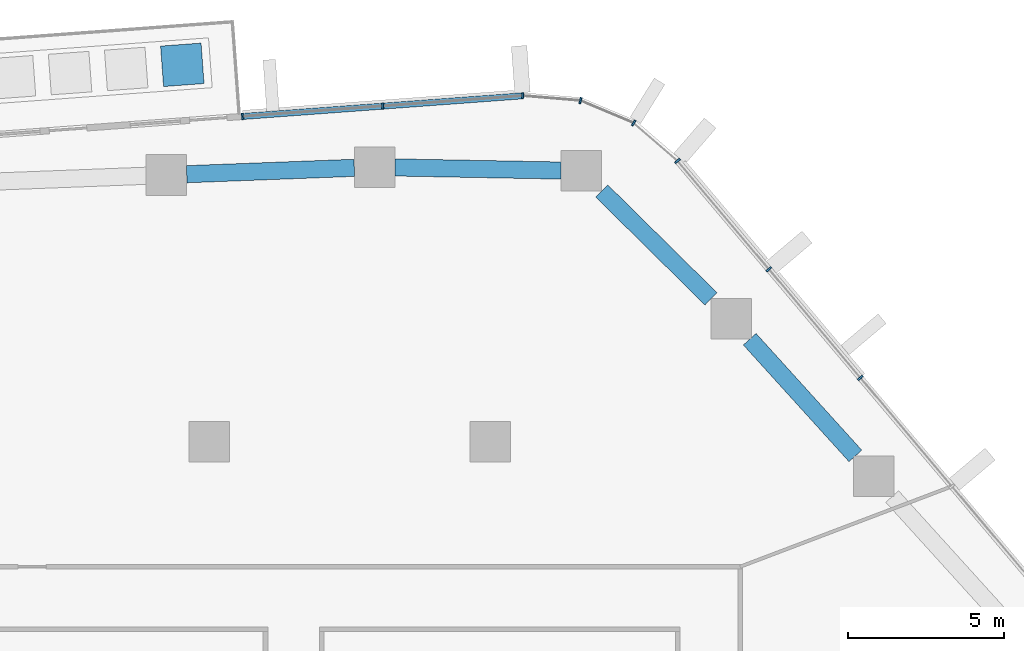
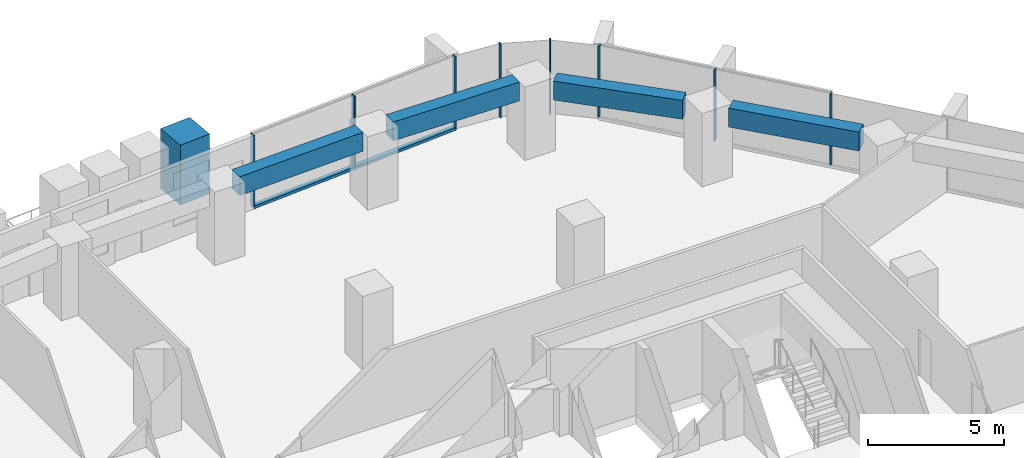
# One storey, part 9 of 23: 10 members, 4 beams, 3 elements without a shape of their own.
"""IFC4 building model written with IfcOpenShell, lengths in metres."""

import ifcopenshell
import ifcopenshell.guid

model = None  # the IFC model being written
_history = None  # IfcOwnerHistory: only IFC2X3 demands one
_inside = {}  # id of a spatial element -> (the spatial element, [elements in it])
_under = {}  # id of a project, library or spatial element -> (it, [spatial elements below it])
_declared = {}  # id of a project -> (the project, [libraries it declares])
_typed = {}  # id of a type object -> (the type object, [elements of that type])
_made_of = {}  # id of a material, layer set ... -> (it, [elements and type objects made of it])


def new_model(schema):
    """Start an empty IFC model of exactly this schema.

    Asked for "IFC4X3", IfcOpenShell would pick the latest addendum, in which some entities
    have other attributes; the version numbers below select the first issue.
    IFC2X3 requires an IfcOwnerHistory on every rooted entity: one is made here for all.
    """
    global model, _history
    if schema == "IFC4X3":
        model = ifcopenshell.file(schema_version=(4, 3, 0, 0))
    else:
        model = ifcopenshell.file(schema=schema)
    _inside.clear()
    _under.clear()
    _declared.clear()
    _typed.clear()
    _made_of.clear()
    _history = None
    if model.schema == "IFC2X3":
        org = make("IfcOrganization", Name="unknown")
        user = make(
            "IfcPersonAndOrganization",
            ThePerson=make("IfcPerson", FamilyName="unknown"),
            TheOrganization=org,
        )
        app = make(
            "IfcApplication",
            ApplicationDeveloper=org,
            Version="unknown",
            ApplicationFullName="unknown",
            ApplicationIdentifier="unknown",
        )
        _history = make(
            "IfcOwnerHistory",
            OwningUser=user,
            OwningApplication=app,
            ChangeAction="ADDED",
            CreationDate=0,
        )
    return model


def make(cls, **values):
    """One entity of the class cls with the attributes given. An attribute that is None is left unset."""
    return model.create_entity(
        cls, **{name: value for name, value in values.items() if value is not None}
    )


def rooted(cls, **values):
    """An entity with a GlobalId (a new one), such as an element, a storey or a relation."""
    return make(cls, GlobalId=ifcopenshell.guid.new(), OwnerHistory=_history, **values)


def si_unit(unit_type, name, prefix=None):
    """IfcSIUnit, for example si_unit("LENGTHUNIT", "METRE", prefix="MILLI")."""
    return make("IfcSIUnit", UnitType=unit_type, Prefix=prefix, Name=name)


def assignment(units):
    """IfcUnitAssignment: the units of a project."""
    return None if units is None else make("IfcUnitAssignment", Units=units)


def point(xyz):
    """IfcCartesianPoint."""
    return None if xyz is None else make("IfcCartesianPoint", Coordinates=xyz)


def direction(xyz):
    """IfcDirection."""
    return None if xyz is None else make("IfcDirection", DirectionRatios=xyz)


def frame(location, z_axis=None, x_axis=None):
    """IfcAxis2Placement3D, a coordinate frame: its origin and axes. An axis left out is left unset."""
    return make(
        "IfcAxis2Placement3D",
        Location=point(location),
        Axis=direction(z_axis),
        RefDirection=direction(x_axis),
    )


def frame_2d(location, x_axis=None):
    """IfcAxis2Placement2D, a coordinate frame in the plane: its origin and x axis."""
    return make(
        "IfcAxis2Placement2D", Location=point(location), RefDirection=direction(x_axis)
    )


def origin():
    """The frame at (0, 0, 0) with its axes left unset."""
    return frame((0.0, 0.0, 0.0))


def origin_2d():
    """The frame at (0, 0) in the plane with its x axis left unset."""
    return frame_2d((0.0, 0.0))


def place(relative_to, where):
    """IfcLocalPlacement: puts the frame where relative to a parent placement (None: the world)."""
    return make(
        "IfcLocalPlacement", PlacementRelTo=relative_to, RelativePlacement=where
    )


def context(
    kind, dimensions, precision=None, world=None, true_north=None, identifier=None
):
    """IfcGeometricRepresentationContext, for example the 3D "Model" context."""
    return make(
        "IfcGeometricRepresentationContext",
        ContextIdentifier=identifier,
        ContextType=kind,
        CoordinateSpaceDimension=dimensions,
        Precision=precision,
        WorldCoordinateSystem=world,
        TrueNorth=true_north,
    )


def subcontext(parent, identifier, kind, view, scale=None):
    """IfcGeometricRepresentationSubContext, for example "Body" below "Model"."""
    return make(
        "IfcGeometricRepresentationSubContext",
        ContextIdentifier=identifier,
        ContextType=kind,
        ParentContext=parent,
        TargetScale=scale,
        TargetView=view,
    )


def project(units=None, contexts=None):
    """IfcProject with its units and contexts."""
    return rooted(
        "IfcProject",
        Name="project",
        RepresentationContexts=contexts,
        UnitsInContext=assignment(units),
    )


def spatial(cls, under=None, at=None, **own):
    """A site, building, storey or space (cls), placed at a placement, below another one or the project."""
    s = rooted(cls, ObjectPlacement=at, **own)
    if under is not None:
        _under.setdefault(under.id(), (under, []))[1].append(s)
    return s


def profile(cls, at=None, kind="AREA", **sizes):
    """A parametric profile (cls). Its sizes go by their IFC names, for example OverallWidth=200.0."""
    return make(cls, ProfileType=kind, Position=at, **sizes)


def rectangle(**sizes):
    """IfcRectangleProfileDef."""
    return profile("IfcRectangleProfileDef", **sizes)


def extrude(swept, where, along, depth):
    """IfcExtrudedAreaSolid: the profile swept, set in the frame where, extruded along a direction by depth."""
    return make(
        "IfcExtrudedAreaSolid",
        SweptArea=swept,
        Position=where,
        ExtrudedDirection=direction(along),
        Depth=depth,
    )


def shape(context_of_items, identifier, shape_type, items):
    """IfcShapeRepresentation: the items that make up one representation, for example the "Body"."""
    return make(
        "IfcShapeRepresentation",
        ContextOfItems=context_of_items,
        RepresentationIdentifier=identifier,
        RepresentationType=shape_type,
        Items=items,
    )


def material(Name=None, Category=None):
    """IfcMaterial."""
    return make("IfcMaterial", Name=Name, Category=Category)


def layer(
    of_material, thickness, ventilated=None, Name=None, Category=None, Priority=None
):
    """IfcMaterialLayer: one layer of a wall or slab, of a material (None: an air gap)."""
    return make(
        "IfcMaterialLayer",
        Material=of_material,
        LayerThickness=thickness,
        IsVentilated=ventilated,
        Name=Name,
        Category=Category,
        Priority=Priority,
    )


def layer_set(layers, Name=None):
    """IfcMaterialLayerSet."""
    return make("IfcMaterialLayerSet", MaterialLayers=layers, LayerSetName=Name)


def material_profile(
    of_material, cross_section, Name=None, Category=None, Priority=None
):
    """IfcMaterialProfile: a cross section and its material."""
    return make(
        "IfcMaterialProfile",
        Name=Name,
        Material=of_material,
        Profile=cross_section,
        Priority=Priority,
        Category=Category,
    )


def profile_set(profiles, Name=None, composite=None):
    """IfcMaterialProfileSet."""
    return make(
        "IfcMaterialProfileSet",
        Name=Name,
        MaterialProfiles=profiles,
        CompositeProfile=composite,
    )


def made_of(thing, what):
    """Note that an element or type object is made of a material, layer set ...; save() writes the relation."""
    if what is not None:
        _made_of.setdefault(what.id(), (what, []))[1].append(thing)
    return thing


def type_object(cls, material=None, **own):
    """A type object (cls), such as IfcWallType, which elements share."""
    return made_of(rooted(cls, **own), material)


def element(
    cls,
    number,
    at=None,
    inside=None,
    cuts=None,
    type_object=None,
    material=None,
    context=None,
    identifier="Body",
    shape_type=None,
    held_by="IfcProductDefinitionShape",
    body=None,
    shapes=None,
    **own,
):
    """One element of the class cls, such as IfcWall. Its Tag is "e" and its number.

    at: its placement. inside: the storey or other place that contains it. cuts: it is an
    opening in that element (IfcRelVoidsElement). A single representation is given by context,
    identifier, shape_type and body (its items); several are given by shapes. held_by: the class
    of the entity that holds the representations. save() writes the other relations.
    """
    e = rooted(cls, Tag="e%d" % number, ObjectPlacement=at, **own)
    if body is not None:
        shapes = [shape(context, identifier, shape_type, body)]
    if shapes is not None:
        e.Representation = make(held_by, Representations=shapes)
    if inside is not None:
        _inside.setdefault(inside.id(), (inside, []))[1].append(e)
    if cuts is not None:
        rooted(
            "IfcRelVoidsElement", RelatingBuildingElement=cuts, RelatedOpeningElement=e
        )
    if type_object is not None:
        _typed.setdefault(type_object.id(), (type_object, []))[1].append(e)
    return made_of(e, material)


def aggregate(whole, parts):
    """IfcRelAggregates: a whole, such as a stair, and the parts it consists of."""
    return rooted("IfcRelAggregates", RelatingObject=whole, RelatedObjects=parts)


def save(model, path):
    """Write the relations noted so far, then the file.

    IfcRelAggregates (storeys below a building ...), IfcRelContainedInSpatialStructure (elements
    in a storey), IfcRelDefinesByType, IfcRelAssociatesMaterial and IfcRelDeclares: one each for
    every whole, place, type object, material and project.
    """
    for whole, parts in _under.values():
        aggregate(whole, parts)
    for where, things in _inside.values():
        rooted(
            "IfcRelContainedInSpatialStructure",
            RelatedElements=things,
            RelatingStructure=where,
        )
    for kind, things in _typed.values():
        rooted("IfcRelDefinesByType", RelatedObjects=things, RelatingType=kind)
    for what, things in _made_of.values():
        rooted("IfcRelAssociatesMaterial", RelatedObjects=things, RelatingMaterial=what)
    for by, libraries in _declared.values():
        rooted("IfcRelDeclares", RelatingContext=by, RelatedDefinitions=libraries)
    model.write(path)


model = new_model("IFC4")

# Units and contexts
model_context = context("Model", 3, precision=1e-05, world=origin(), true_north=direction((0.0, 1.0)))
body_context = subcontext(model_context, "Body", "Model", "MODEL_VIEW")
ifc_project = project(units=[si_unit("LENGTHUNIT", "METRE"), si_unit("AREAUNIT", "SQUARE_METRE"), si_unit("VOLUMEUNIT", "CUBIC_METRE"), si_unit("PLANEANGLEUNIT", "RADIAN"), si_unit("MASSUNIT", "GRAM", prefix="KILO")], contexts=[model_context])

# Site, building, storey
site_placement = place(None, origin())
site = spatial("IfcSite", under=ifc_project, at=site_placement, CompositionType="ELEMENT")
building_placement = place(site_placement, origin())
building = spatial("IfcBuilding", under=site, at=building_placement, Name="Dongbaek Canopy Tower", CompositionType="ELEMENT")
storey_placement = place(building_placement, frame((0.0, 0.0, 132.199951171875)))
storey = spatial("IfcBuildingStorey", under=building, at=storey_placement, Name="L29", CompositionType="ELEMENT", Elevation=132.199951171875)

# Curtain wall, members
ifc_material_1 = material(Name="Aluminium 6063-T6 pale anodised", Category="aluminium")
ifc_layer = layer(ifc_material_1, 0.199951171875)
ifc_layer_set = layer_set([ifc_layer], Name="CW-1 unitised tower curtain wall")
curtain_wall_type = type_object("IfcCurtainWallType", Name="CW-1 unitised tower curtain wall", PredefinedType="NOTDEFINED", material=ifc_layer_set)
curtain_wall_1_placement = place(storey_placement, origin())
curtain_wall_1 = element("IfcCurtainWall", 1, at=curtain_wall_1_placement, inside=storey, type_object=curtain_wall_type, Name="CW-1 curtain wall F0.1", PredefinedType="NOTDEFINED")
ifc_material_2 = material(Name="Aluminium 6063-T6 pale anodised", Category="aluminium")
ifc_material_profile_1 = material_profile(ifc_material_2, rectangle(XDim=0.199951171875, YDim=0.06005859375, at=origin_2d()), Name="CW-1 mullion 60 x 200")
ifc_profile_set_1 = profile_set([ifc_material_profile_1], Name="Aluminium 6063-T6 pale anodised")
member_type_1 = type_object("IfcMemberType", Name="CW-1 mullion 60 x 200", PredefinedType="MULLION", material=ifc_profile_set_1)
member_1_placement = place(storey_placement, frame((20.85205078125, 20.0498046875, 0.1201171875), z_axis=(0.0, 0.0, 1.0), x_axis=(0.764439348936, 0.644695650519, 0.0)))
member_1 = element("IfcMember", 2, at=member_1_placement, type_object=member_type_1, Name="CW-1 mullion F0.1.4", PredefinedType="MULLION", context=body_context, shape_type="SweptSolid", body=[
    extrude(rectangle(XDim=0.199951171875, YDim=0.06005859375, at=origin_2d()), origin(), (0.0, 0.0, 1.0), 3.179931640625),
])
member_2_placement = place(storey_placement, frame((17.921142578125, 23.525390625, 0.1201171875), z_axis=(0.0, 0.0, 1.0), x_axis=(0.764439348936, 0.644695650519, 0.0)))
member_2 = element("IfcMember", 3, at=member_2_placement, type_object=member_type_1, Name="CW-1 mullion F0.1.5", PredefinedType="MULLION", context=body_context, shape_type="SweptSolid", body=[
    extrude(rectangle(XDim=0.199951171875, YDim=0.06005859375, at=origin_2d()), origin(), (0.0, 0.0, 1.0), 3.179931640625),
])
member_3_placement = place(storey_placement, frame((14.9951171875, 26.994873046875, 0.1201171875), z_axis=(0.0, 0.0, 1.0), x_axis=(0.764439348936, 0.644695650519, 0.0)))
member_3 = element("IfcMember", 4, at=member_3_placement, type_object=member_type_1, Name="CW-1 mullion F0.1.6", PredefinedType="MULLION", context=body_context, shape_type="SweptSolid", body=[
    extrude(rectangle(XDim=0.199951171875, YDim=0.06005859375, at=origin_2d()), origin(), (0.0, 0.0, 1.0), 3.179931640625),
])
aggregate(curtain_wall_1, [member_1, member_2, member_3])

curtain_wall_2_placement = place(storey_placement, origin())
curtain_wall_2 = element("IfcCurtainWall", 5, at=curtain_wall_2_placement, inside=storey, type_object=curtain_wall_type, Name="CW-1 curtain wall K1.1", PredefinedType="NOTDEFINED")
member_4_placement = place(storey_placement, frame((13.591064453125, 28.208740234375, 0.0), z_axis=(0.0, 0.0, 1.0), x_axis=(0.527440952784, 0.849591690947, 0.0)))
member_4 = element("IfcMember", 6, at=member_4_placement, type_object=member_type_1, Name="CW-1 mullion K1.1.2", PredefinedType="MULLION", context=body_context, shape_type="SweptSolid", body=[
    extrude(rectangle(XDim=0.199951171875, YDim=0.06005859375, at=origin_2d()), origin(), (0.0, 0.0, 1.0), 3.300048828125),
])
member_5_placement = place(storey_placement, frame((11.8876953125, 28.925537109375, 0.0), z_axis=(0.0, 0.0, 1.0), x_axis=(0.238673896326, 0.971099774077, 0.0)))
member_5 = element("IfcMember", 7, at=member_5_placement, type_object=member_type_1, Name="CW-1 mullion K1.1.3", PredefinedType="MULLION", context=body_context, shape_type="SweptSolid", body=[
    extrude(rectangle(XDim=0.199951171875, YDim=0.06005859375, at=origin_2d()), origin(), (0.0, 0.0, 1.0), 3.300048828125),
])
member_6_placement = place(storey_placement, frame((10.0380859375, 29.08056640625, 0.0), z_axis=(0.0, 0.0, 1.0), x_axis=(0.08360953384, 0.996498593, 0.0)))
member_6 = element("IfcMember", 8, at=member_6_placement, type_object=member_type_1, Name="CW-1 mullion K1.1.4", PredefinedType="MULLION", context=body_context, shape_type="SweptSolid", body=[
    extrude(rectangle(XDim=0.199951171875, YDim=0.06005859375, at=origin_2d()), origin(), (0.0, 0.0, 1.0), 3.300048828125),
])
aggregate(curtain_wall_2, [member_4, member_5, member_6])

curtain_wall_3_placement = place(storey_placement, origin())
curtain_wall_3 = element("IfcCurtainWall", 9, at=curtain_wall_3_placement, inside=storey, type_object=curtain_wall_type, Name="CW-1 curtain wall F1.1", PredefinedType="NOTDEFINED")
member_7_placement = place(storey_placement, frame((5.555419921875, 28.750244140625, 0.1201171875), z_axis=(0.0, 0.0, 1.0), x_axis=(-0.073519152761, 0.997293805344, 0.0)))
member_7 = element("IfcMember", 10, at=member_7_placement, type_object=member_type_1, Name="CW-1 mullion F1.1.2", PredefinedType="MULLION", context=body_context, shape_type="SweptSolid", body=[
    extrude(rectangle(XDim=0.199951171875, YDim=0.06005859375, at=origin_2d()), origin(), (0.0, 0.0, 1.0), 3.179931640625),
])
member_8_placement = place(storey_placement, frame((1.064697265625, 28.419189453125, 0.1201171875), z_axis=(0.0, 0.0, 1.0), x_axis=(-0.073519152761, 0.997293805344, 0.0)))
member_8 = element("IfcMember", 11, at=member_8_placement, type_object=member_type_1, Name="CW-1 mullion F1.1.3", PredefinedType="MULLION", context=body_context, shape_type="SweptSolid", body=[
    extrude(rectangle(XDim=0.199951171875, YDim=0.06005859375, at=origin_2d()), origin(), (0.0, 0.0, 1.0), 3.179931640625),
])
ifc_material_3 = material(Name="Aluminium 6063-T6 pale anodised", Category="aluminium")
ifc_material_profile_2 = material_profile(ifc_material_3, rectangle(XDim=0.199951171875, YDim=0.1201171875, at=origin_2d()), Name="CW-1 transom 120 x 200")
ifc_profile_set_2 = profile_set([ifc_material_profile_2], Name="Aluminium 6063-T6 pale anodised")
member_type_2 = type_object("IfcMemberType", Name="CW-1 transom 120 x 200", PredefinedType="USERDEFINED", material=ifc_profile_set_2)
member_9_placement = place(storey_placement, frame((10.0380859375, 29.08056640625, 0.06005859375), z_axis=(-0.997294857601, -0.073504877411, 0.0), x_axis=(0.073504877411, -0.997294857601, 0.0)))
member_9 = element("IfcMember", 12, at=member_9_placement, type_object=member_type_2, Name="CW-1 transom F1.1.1", ObjectType="TRANSOM", PredefinedType="USERDEFINED", context=body_context, shape_type="SweptSolid", body=[
    extrude(rectangle(XDim=0.199951171875, YDim=0.1201171875, at=origin_2d()), origin(), (0.0, 0.0, 1.0), 8.997802734375),
])
aggregate(curtain_wall_3, [member_7, member_8, member_9])

# Beams
ifc_material_4 = material(Name="Concrete C80", Category="concrete")
ifc_material_profile_3 = material_profile(ifc_material_4, rectangle(XDim=0.550048828125, YDim=0.85009765625, at=origin_2d()), Name="RC EDGE BEAM 550x850 C80")
ifc_profile_set_3 = profile_set([ifc_material_profile_3], Name="Concrete C80")
beam_type = type_object("IfcBeamType", Name="RC EDGE BEAM 550x850 C80", PredefinedType="BEAM", material=ifc_profile_set_3)
beam_1_placement = place(storey_placement, frame((-0.721923828125, 26.56884765625, 2.875), z_axis=(0.999275939063, 0.03804730751, 0.0), x_axis=(-0.03804730751, 0.999275939063, 0.0)))
element("IfcBeam", 13, at=beam_1_placement, inside=storey, type_object=beam_type, Name="EDGEBEAM:L29:15", PredefinedType="BEAM", context=body_context, shape_type="SweptSolid", body=[
    extrude(rectangle(XDim=0.550048828125, YDim=0.85009765625, at=origin_2d()), origin(), (0.0, 0.0, 1.0), 5.370849609375),
])
beam_2_placement = place(storey_placement, frame((5.945068359375, 26.785888671875, 2.875), z_axis=(0.999824893163, -0.018713177504, 0.0), x_axis=(0.018713177504, 0.999824893163, 0.0)))
element("IfcBeam", 14, at=beam_2_placement, inside=storey, type_object=beam_type, Name="EDGEBEAM:L29:16", PredefinedType="BEAM", context=body_context, shape_type="SweptSolid", body=[
    extrude(rectangle(XDim=0.550048828125, YDim=0.85009765625, at=origin_2d()), origin(), (0.0, 0.0, 1.0), 5.322998046875),
])
beam_3_placement = place(storey_placement, frame((12.56689453125, 26.032470703125, 2.875), z_axis=(0.711707070228, -0.702476366995, 0.0), x_axis=(0.702476366995, 0.711707070228, 0.0)))
element("IfcBeam", 15, at=beam_3_placement, inside=storey, type_object=beam_type, Name="EDGEBEAM:L29:17", PredefinedType="BEAM", context=body_context, shape_type="SweptSolid", body=[
    extrude(rectangle(XDim=0.550048828125, YDim=0.85009765625, at=origin_2d()), origin(), (0.0, 0.0, 1.0), 4.91943359375),
])
beam_4_placement = place(storey_placement, frame((17.306640625, 21.284912109375, 2.875), z_axis=(0.671331632341, -0.741157094966, 0.0), x_axis=(0.741157094966, 0.671331632341, 0.0)))
element("IfcBeam", 16, at=beam_4_placement, inside=storey, type_object=beam_type, Name="EDGEBEAM:L29:18", PredefinedType="BEAM", context=body_context, shape_type="SweptSolid", body=[
    extrude(rectangle(XDim=0.550048828125, YDim=0.85009765625, at=origin_2d()), origin(), (0.0, 0.0, 1.0), 5.041748046875),
])

# Member
ifc_material_5 = material(Name="Concrete C40/50 planter mass with planting", Category="concrete")
ifc_material_profile_4 = material_profile(ifc_material_5, rectangle(XDim=1.300048828125, YDim=1.300048828125, at=origin_2d()), Name="Terrace PLANTER shrub mass 1300 x 1300")
ifc_profile_set_4 = profile_set([ifc_material_profile_4], Name="Concrete C40/50 planter mass with planting")
member_type_3 = type_object("IfcMemberType", Name="Terrace PLANTER shrub mass 1300 x 1300", PredefinedType="USERDEFINED", material=ifc_profile_set_4)
member_10_placement = place(storey_placement, frame((-0.862548828125, 30.07177734375, 0.420166015625), z_axis=(0.0, 0.0, 1.0), x_axis=(-0.073519152761, 0.997293805344, 0.0)))
element("IfcMember", 17, at=member_10_placement, inside=storey, type_object=member_type_3, Name="Planter shrubs L29 1.1", ObjectType="PLANTER", PredefinedType="USERDEFINED", context=body_context, shape_type="SweptSolid", body=[
    extrude(rectangle(XDim=1.300048828125, YDim=1.300048828125, at=origin_2d()), origin(), (0.0, 0.0, 1.0), 2.68994140625),
])

save(model, "model.ifc")
